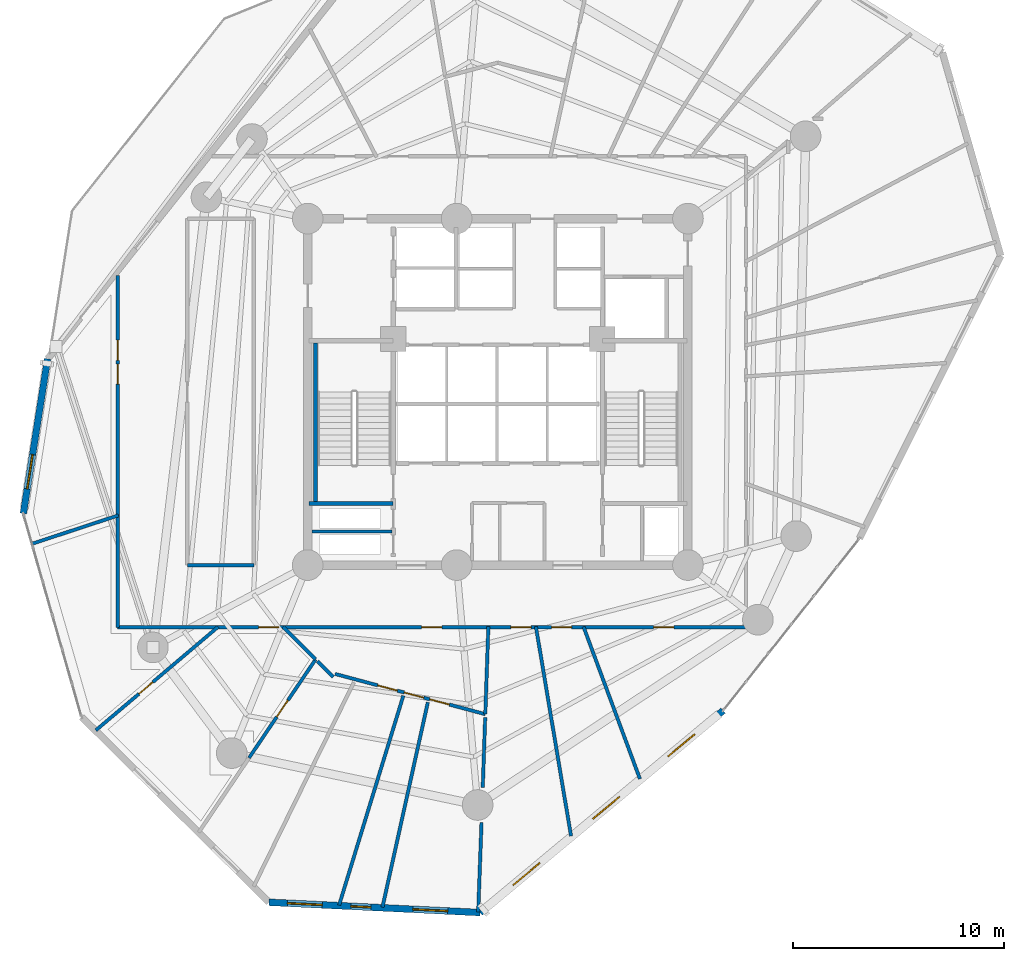
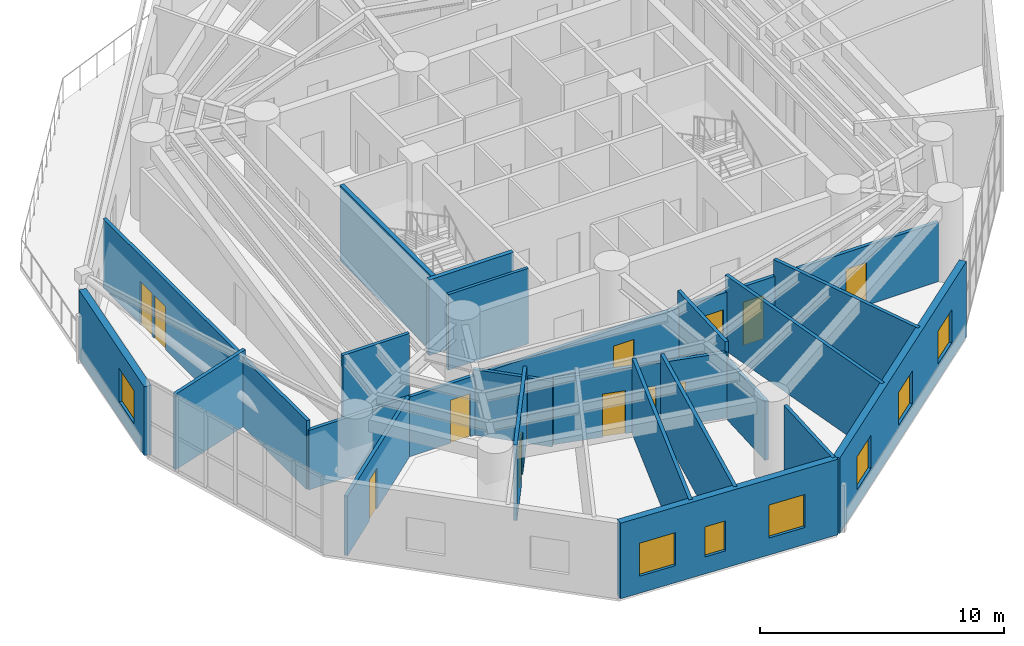
# One storey, part 7 of 14: 22 walls, 12 doors, 7 windows, 19 openings.
"""IFC4 building model written with IfcOpenShell, lengths in metres."""

from ifc_helpers import new_model, si_unit, direction, frame, frame_2d, origin, origin_with_axes, place, context, subcontext, project, spatial, rectangle, extrude, source, transform, mapped, material, layer, layer_set, type_object, element, fill, save


model = new_model("IFC4")

# Units and contexts
model_context = context("Model", 3, precision=1e-05, world=origin(), true_north=direction((0.0, 1.0)))
body_context = subcontext(model_context, "Body", "Model", "MODEL_VIEW")
ifc_project = project(units=[si_unit("LENGTHUNIT", "METRE"), si_unit("AREAUNIT", "SQUARE_METRE"), si_unit("VOLUMEUNIT", "CUBIC_METRE"), si_unit("PLANEANGLEUNIT", "RADIAN"), si_unit("MASSUNIT", "GRAM", prefix="KILO")], contexts=[model_context])

# Site, building, storey
site_placement = place(None, origin())
site = spatial("IfcSite", under=ifc_project, at=site_placement, CompositionType="ELEMENT")
building_placement = place(site_placement, origin())
building = spatial("IfcBuilding", under=site, at=building_placement, Name="Karkom Vertical University and Central Library", CompositionType="ELEMENT")
storey_placement = place(building_placement, frame((0.0, 0.0, 92.199951171875)))
storey = spatial("IfcBuildingStorey", under=building, at=storey_placement, Name="L24", CompositionType="ELEMENT", Elevation=92.199951171875)

# Wall, opening, window
ifc_material_1 = material(Name="Brick-faced precast concrete C45/55", Category="masonry")
ifc_layer_1 = layer(ifc_material_1, 0.320068359375)
ifc_layer_set_1 = layer_set([ifc_layer_1], Name="Brick-faced precast concrete C45/55")
wall_type_1 = type_object("IfcWallType", Name="ENV-WL-BRK-320", PredefinedType="SOLIDWALL", material=ifc_layer_set_1)
wall_1_placement = place(storey_placement, frame((7.186279296875, 28.06298828125, 0.0), z_axis=(0.0, 0.0, 1.0), x_axis=(-0.154769806467, -0.987950558989, 0.0)))
wall_1 = element("IfcWall", 1, at=wall_1_placement, inside=storey, type_object=wall_type_1, Name="Level 24 Brick-Faced Precast Facade Wall 01", PredefinedType="SOLIDWALL", context=body_context, shape_type="SweptSolid", body=[
    extrude(rectangle(XDim=7.410888671875, YDim=0.320068359375, at=frame_2d((3.70556640625, 0.0))), origin(), (0.0, 0.0, 1.0), 3.445068359375),
])
opening_1_placement = place(wall_1_placement, frame((4.583984375, 0.0, 0.85009765625)))
opening_1 = element("IfcOpeningElement", 2, at=opening_1_placement, cuts=wall_1, Name="Opening WN-06", PredefinedType="OPENING", context=body_context, shape_type="SweptSolid", body=[
    extrude(rectangle(XDim=1.64990234375, YDim=1.64990234375, at=frame_2d((0.824951171875, 0.824951171875))), frame((0.0, 0.169921875, 0.0), z_axis=(0.0, -1.0, 0.0), x_axis=(1.0, 0.0, 0.0)), (0.0, 0.0, 1.0), 0.340087890625),
])
ifc_material_2 = material(Name="Aluminium thermal-break frame with solar-control IGU", Category="aluminium")
window_type_1 = type_object("IfcWindowType", Name="ENV-WIN-WN-06", PartitioningType="SINGLE_PANEL", PredefinedType="WINDOW", material=ifc_material_2)
shared_shape_1 = source(origin_with_axes(), body_context, "Body", "SweptSolid", [
    extrude(rectangle(XDim=1.64990234375, YDim=1.64990234375, at=frame_2d((0.824951171875, 0.824951171875))), frame((0.0, 0.030029296875, 0.0), z_axis=(0.0, -1.0, 0.0), x_axis=(1.0, 0.0, 0.0)), (0.0, 0.0, 1.0), 0.06005859375),
])
window_1_placement = place(opening_1_placement, origin())
window_1 = element("IfcWindow", 3, at=window_1_placement, inside=storey, type_object=window_type_1, Name="Level 24 Punched Window 1.1", OverallHeight=1.64990234375, OverallWidth=1.64990234375, PartitioningType="SINGLE_PANEL", PredefinedType="WINDOW", context=body_context, shape_type="MappedRepresentation", body=[
    mapped(shared_shape_1, transform((0.0, 0.0, 0.0), scale=1.0)),
])
fill(opening_1, window_1)

# Wall, openings, windows
wall_2_placement = place(storey_placement, frame((17.670654296875, 2.33642578125, 0.0), z_axis=(0.0, 0.0, 1.0), x_axis=(0.998817213459, -0.048622773441, 0.0)))
wall_2 = element("IfcWall", 4, at=wall_2_placement, inside=storey, type_object=wall_type_1, Name="Level 24 Brick-Faced Precast Facade Wall 04", PredefinedType="SOLIDWALL", context=body_context, shape_type="SweptSolid", body=[
    extrude(rectangle(XDim=10.001953125, YDim=0.320068359375, at=frame_2d((5.0009765625, 0.0))), origin(), (0.0, 0.0, 1.0), 3.775146484375),
])
opening_2_placement = place(wall_2_placement, frame((0.868408203125, 0.0, 0.85009765625)))
opening_2 = element("IfcOpeningElement", 5, at=opening_2_placement, cuts=wall_2, Name="Opening WN-06", PredefinedType="OPENING", context=body_context, shape_type="SweptSolid", body=[
    extrude(rectangle(XDim=1.64990234375, YDim=1.64990234375, at=frame_2d((0.824951171875, 0.824951171875))), frame((0.0, 0.169921875, 0.0), z_axis=(0.0, -1.0, 0.0), x_axis=(1.0, 0.0, 0.0)), (0.0, 0.0, 1.0), 0.340087890625),
])
opening_3_placement = place(wall_2_placement, frame((3.87841796875, 0.0, 0.85009765625)))
opening_3 = element("IfcOpeningElement", 6, at=opening_3_placement, cuts=wall_2, Name="Opening WN-12", PredefinedType="OPENING", context=body_context, shape_type="SweptSolid", body=[
    extrude(rectangle(XDim=0.949951171875, YDim=1.5, at=frame_2d((0.47509765625, 0.75))), frame((0.0, 0.169921875, 0.0), z_axis=(0.0, -1.0, 0.0), x_axis=(1.0, 0.0, 0.0)), (0.0, 0.0, 1.0), 0.340087890625),
])
opening_4_placement = place(wall_2_placement, frame((6.8203125, 0.0, 0.85009765625)))
opening_4 = element("IfcOpeningElement", 7, at=opening_4_placement, cuts=wall_2, Name="Opening WN-06", PredefinedType="OPENING", context=body_context, shape_type="SweptSolid", body=[
    extrude(rectangle(XDim=1.64990234375, YDim=1.64990234375, at=frame_2d((0.824951171875, 0.824951171875))), frame((0.0, 0.169921875, 0.0), z_axis=(0.0, -1.0, 0.0), x_axis=(1.0, 0.0, 0.0)), (0.0, 0.0, 1.0), 0.340087890625),
])
window_2_placement = place(opening_2_placement, origin())
window_2 = element("IfcWindow", 8, at=window_2_placement, inside=storey, type_object=window_type_1, Name="Level 24 Punched Window 4.1", OverallHeight=1.64990234375, OverallWidth=1.64990234375, PartitioningType="SINGLE_PANEL", PredefinedType="WINDOW", context=body_context, shape_type="MappedRepresentation", body=[
    mapped(shared_shape_1, transform((0.0, 0.0, 0.0), scale=1.0)),
])
fill(opening_2, window_2)
window_3_placement = place(opening_4_placement, origin())
window_3 = element("IfcWindow", 9, at=window_3_placement, inside=storey, type_object=window_type_1, Name="Level 24 Punched Window 4.3", OverallHeight=1.64990234375, OverallWidth=1.64990234375, PartitioningType="SINGLE_PANEL", PredefinedType="WINDOW", context=body_context, shape_type="MappedRepresentation", body=[
    mapped(shared_shape_1, transform((0.0, 0.0, 0.0), scale=1.0)),
])
fill(opening_4, window_3)
window_type_2 = type_object("IfcWindowType", Name="ENV-WIN-WN-12", PartitioningType="SINGLE_PANEL", PredefinedType="WINDOW", material=ifc_material_2)
shared_shape_2 = source(origin_with_axes(), body_context, "Body", "SweptSolid", [
    extrude(rectangle(XDim=0.949951171875, YDim=1.5, at=frame_2d((0.47509765625, 0.75))), frame((0.0, 0.030029296875, 0.0), z_axis=(0.0, -1.0, 0.0), x_axis=(1.0, 0.0, 0.0)), (0.0, 0.0, 1.0), 0.06005859375),
])
window_4_placement = place(opening_3_placement, origin())
window_4 = element("IfcWindow", 10, at=window_4_placement, inside=storey, type_object=window_type_2, Name="Level 24 Punched Window 4.2", OverallHeight=1.5, OverallWidth=0.949951171875, PartitioningType="SINGLE_PANEL", PredefinedType="WINDOW", context=body_context, shape_type="MappedRepresentation", body=[
    mapped(shared_shape_2, transform((0.0, 0.0, 0.0), scale=1.0)),
])
fill(opening_3, window_4)

wall_3_placement = place(storey_placement, frame((27.660888671875, 1.85009765625, 0.0), z_axis=(0.0, 0.0, 1.0), x_axis=(0.769079412442, 0.639153234646, 0.0)))
wall_3 = element("IfcWall", 11, at=wall_3_placement, inside=storey, type_object=wall_type_1, Name="Level 24 Brick-Faced Precast Facade Wall 05", PredefinedType="SOLIDWALL", context=body_context, shape_type="SweptSolid", body=[
    extrude(rectangle(XDim=14.959228515625, YDim=0.320068359375, at=frame_2d((7.4794921875, 0.0))), origin(), (0.0, 0.0, 1.0), 3.775146484375),
])
opening_5_placement = place(wall_3_placement, frame((2.02685546875, 0.0, 0.85009765625)))
opening_5 = element("IfcOpeningElement", 12, at=opening_5_placement, cuts=wall_3, Name="Opening WN-06", PredefinedType="OPENING", context=body_context, shape_type="SweptSolid", body=[
    extrude(rectangle(XDim=1.64990234375, YDim=1.64990234375, at=frame_2d((0.824951171875, 0.824951171875))), frame((0.0, 0.169921875, 0.0), z_axis=(0.0, -1.0, 0.0), x_axis=(1.0, 0.0, 0.0)), (0.0, 0.0, 1.0), 0.340087890625),
])
opening_6_placement = place(wall_3_placement, frame((6.933837890625, 0.0, 0.85009765625)))
opening_6 = element("IfcOpeningElement", 13, at=opening_6_placement, cuts=wall_3, Name="Opening WN-06", PredefinedType="OPENING", context=body_context, shape_type="SweptSolid", body=[
    extrude(rectangle(XDim=1.64990234375, YDim=1.64990234375, at=frame_2d((0.824951171875, 0.824951171875))), frame((0.0, 0.169921875, 0.0), z_axis=(0.0, -1.0, 0.0), x_axis=(1.0, 0.0, 0.0)), (0.0, 0.0, 1.0), 0.340087890625),
])
opening_7_placement = place(wall_3_placement, frame((11.561767578125, 0.0, 0.85009765625)))
opening_7 = element("IfcOpeningElement", 14, at=opening_7_placement, cuts=wall_3, Name="Opening WN-06", PredefinedType="OPENING", context=body_context, shape_type="SweptSolid", body=[
    extrude(rectangle(XDim=1.64990234375, YDim=1.64990234375, at=frame_2d((0.824951171875, 0.824951171875))), frame((0.0, 0.169921875, 0.0), z_axis=(0.0, -1.0, 0.0), x_axis=(1.0, 0.0, 0.0)), (0.0, 0.0, 1.0), 0.340087890625),
])
window_5_placement = place(opening_5_placement, origin())
window_5 = element("IfcWindow", 15, at=window_5_placement, inside=storey, type_object=window_type_1, Name="Level 24 Punched Window 5.1", OverallHeight=1.64990234375, OverallWidth=1.64990234375, PartitioningType="SINGLE_PANEL", PredefinedType="WINDOW", context=body_context, shape_type="MappedRepresentation", body=[
    mapped(shared_shape_1, transform((0.0, 0.0, 0.0), scale=1.0)),
])
fill(opening_5, window_5)
window_6_placement = place(opening_6_placement, origin())
window_6 = element("IfcWindow", 16, at=window_6_placement, inside=storey, type_object=window_type_1, Name="Level 24 Punched Window 5.2", OverallHeight=1.64990234375, OverallWidth=1.64990234375, PartitioningType="SINGLE_PANEL", PredefinedType="WINDOW", context=body_context, shape_type="MappedRepresentation", body=[
    mapped(shared_shape_1, transform((0.0, 0.0, 0.0), scale=1.0)),
])
fill(opening_6, window_6)
window_7_placement = place(opening_7_placement, origin())
window_7 = element("IfcWindow", 17, at=window_7_placement, inside=storey, type_object=window_type_1, Name="Level 24 Punched Window 5.3", OverallHeight=1.64990234375, OverallWidth=1.64990234375, PartitioningType="SINGLE_PANEL", PredefinedType="WINDOW", context=body_context, shape_type="MappedRepresentation", body=[
    mapped(shared_shape_1, transform((0.0, 0.0, 0.0), scale=1.0)),
])
fill(opening_7, window_7)

# Wall, openings, doors
ifc_material_3 = material(Name="Insulated metal-stud drywall 160mm", Category="gypsum")
ifc_layer_2 = layer(ifc_material_3, 0.159912109375)
ifc_layer_set_2 = layer_set([ifc_layer_2], Name="Insulated metal-stud drywall 160mm")
wall_type_2 = type_object("IfcWallType", Name="INT-WL-COR-160", PredefinedType="PARTITIONING", material=ifc_layer_set_2)
wall_4_placement = place(storey_placement, frame((40.25, 15.35009765625, 0.0), z_axis=(0.0, 0.0, 1.0), x_axis=(-1.0, 0.0, 0.0)))
wall_4 = element("IfcWall", 18, at=wall_4_placement, inside=storey, type_object=wall_type_2, Name="Level 24 Interior Partition Wall L24-CORW-CW-001", PredefinedType="PARTITIONING", context=body_context, shape_type="SweptSolid", body=[
    extrude(rectangle(XDim=29.75, YDim=0.159912109375, at=frame_2d((14.875, 0.0))), origin(), (0.0, 0.0, 1.0), 2.97509765625),
])
opening_8_placement = place(wall_4_placement, frame((22.12744140625, 0.0, 0.0)))
opening_8 = element("IfcOpeningElement", 19, at=opening_8_placement, cuts=wall_4, Name="Opening D-RM1", PredefinedType="OPENING", context=body_context, shape_type="SweptSolid", body=[
    extrude(rectangle(XDim=0.949951171875, YDim=2.14990234375, at=frame_2d((0.47509765625, 1.074951171875))), frame((0.0, 0.08984375, 0.0), z_axis=(0.0, -1.0, 0.0), x_axis=(1.0, 0.0, 0.0)), (0.0, 0.0, 1.0), 0.179931640625),
])
opening_9_placement = place(wall_4_placement, frame((14.39990234375, 0.0, 0.0)))
opening_9 = element("IfcOpeningElement", 20, at=opening_9_placement, cuts=wall_4, Name="Opening FD-RM2", PredefinedType="OPENING", context=body_context, shape_type="SweptSolid", body=[
    extrude(rectangle(XDim=0.9599609375, YDim=2.14990234375, at=frame_2d((0.47998046875, 1.074951171875))), frame((0.0, 0.08984375, 0.0), z_axis=(0.0, -1.0, 0.0), x_axis=(1.0, 0.0, 0.0)), (0.0, 0.0, 1.0), 0.179931640625),
])
opening_10_placement = place(wall_4_placement, frame((10.177490234375, 0.0, 0.0)))
opening_10 = element("IfcOpeningElement", 21, at=opening_10_placement, cuts=wall_4, Name="Opening FD-RM2", PredefinedType="OPENING", context=body_context, shape_type="SweptSolid", body=[
    extrude(rectangle(XDim=0.9599609375, YDim=2.14990234375, at=frame_2d((0.47998046875, 1.074951171875))), frame((0.0, 0.08984375, 0.0), z_axis=(0.0, -1.0, 0.0), x_axis=(1.0, 0.0, 0.0)), (0.0, 0.0, 1.0), 0.179931640625),
])
opening_11_placement = place(wall_4_placement, frame((8.25390625, 0.0, 0.0)))
opening_11 = element("IfcOpeningElement", 22, at=opening_11_placement, cuts=wall_4, Name="Opening D-RM1", PredefinedType="OPENING", context=body_context, shape_type="SweptSolid", body=[
    extrude(rectangle(XDim=0.949951171875, YDim=2.14990234375, at=frame_2d((0.47509765625, 1.074951171875))), frame((0.0, 0.08984375, 0.0), z_axis=(0.0, -1.0, 0.0), x_axis=(1.0, 0.0, 0.0)), (0.0, 0.0, 1.0), 0.179931640625),
])
opening_12_placement = place(wall_4_placement, frame((3.4169921875, 0.0, 0.0)))
opening_12 = element("IfcOpeningElement", 23, at=opening_12_placement, cuts=wall_4, Name="Opening FD-RM2", PredefinedType="OPENING", context=body_context, shape_type="SweptSolid", body=[
    extrude(rectangle(XDim=0.9599609375, YDim=2.14990234375, at=frame_2d((0.47998046875, 1.074951171875))), frame((0.0, 0.08984375, 0.0), z_axis=(0.0, -1.0, 0.0), x_axis=(1.0, 0.0, 0.0)), (0.0, 0.0, 1.0), 0.179931640625),
])
ifc_material_4 = material(Name="Fire-rated oak veneer door", Category="wood")
door_type_1 = type_object("IfcDoorType", Name="INT-DR-FRM2", OperationType="NOTDEFINED", PredefinedType="DOOR", material=ifc_material_4)
shared_shape_3 = source(origin_with_axes(), body_context, "Body", "SweptSolid", [
    extrude(rectangle(XDim=0.9599609375, YDim=2.14990234375, at=frame_2d((0.47998046875, 1.074951171875))), frame((0.0, 0.02490234375, 0.0), z_axis=(0.0, -1.0, 0.0), x_axis=(1.0, 0.0, 0.0)), (0.0, 0.0, 1.0), 0.050048828125),
])
door_1_placement = place(opening_9_placement, origin())
door_1 = element("IfcDoor", 24, at=door_1_placement, inside=storey, type_object=door_type_1, Name="Level 24 Room Entry Door 050", OperationType="SINGLE_SWING_RIGHT", OverallHeight=2.14990234375, OverallWidth=0.9599609375, PredefinedType="DOOR", context=body_context, shape_type="MappedRepresentation", body=[
    mapped(shared_shape_3, transform((0.0, 0.0, 0.0), scale=1.0)),
])
fill(opening_9, door_1)
door_2_placement = place(opening_10_placement, origin())
door_2 = element("IfcDoor", 25, at=door_2_placement, inside=storey, type_object=door_type_1, Name="Level 24 Room Entry Door 080", OperationType="SINGLE_SWING_LEFT", OverallHeight=2.14990234375, OverallWidth=0.9599609375, PredefinedType="DOOR", context=body_context, shape_type="MappedRepresentation", body=[
    mapped(shared_shape_3, transform((0.0, 0.0, 0.0), scale=1.0)),
])
fill(opening_10, door_2)
door_3_placement = place(opening_12_placement, origin())
door_3 = element("IfcDoor", 26, at=door_3_placement, inside=storey, type_object=door_type_1, Name="Level 24 Room Entry Door 100", OperationType="SINGLE_SWING_LEFT", OverallHeight=2.14990234375, OverallWidth=0.9599609375, PredefinedType="DOOR", context=body_context, shape_type="MappedRepresentation", body=[
    mapped(shared_shape_3, transform((0.0, 0.0, 0.0), scale=1.0)),
])
fill(opening_12, door_3)
ifc_material_5 = material(Name="Solid-core oak veneer door", Category="wood")
door_type_2 = type_object("IfcDoorType", Name="INT-DR-RM1", OperationType="NOTDEFINED", PredefinedType="DOOR", material=ifc_material_5)
shared_shape_4 = source(origin_with_axes(), body_context, "Body", "SweptSolid", [
    extrude(rectangle(XDim=0.949951171875, YDim=2.14990234375, at=frame_2d((0.47509765625, 1.074951171875))), frame((0.0, 0.02490234375, 0.0), z_axis=(0.0, -1.0, 0.0), x_axis=(1.0, 0.0, 0.0)), (0.0, 0.0, 1.0), 0.050048828125),
])
door_4_placement = place(opening_8_placement, origin())
door_4 = element("IfcDoor", 27, at=door_4_placement, inside=storey, type_object=door_type_2, Name="Level 24 Room Entry Door 020", OperationType="SINGLE_SWING_LEFT", OverallHeight=2.14990234375, OverallWidth=0.949951171875, PredefinedType="DOOR", context=body_context, shape_type="MappedRepresentation", body=[
    mapped(shared_shape_4, transform((0.0, 0.0, 0.0), scale=1.0)),
])
fill(opening_8, door_4)
door_5_placement = place(opening_11_placement, origin())
door_5 = element("IfcDoor", 28, at=door_5_placement, inside=storey, type_object=door_type_2, Name="Level 24 Room Entry Door 090", OperationType="SINGLE_SWING_RIGHT", OverallHeight=2.14990234375, OverallWidth=0.949951171875, PredefinedType="DOOR", context=body_context, shape_type="MappedRepresentation", body=[
    mapped(shared_shape_4, transform((0.0, 0.0, 0.0), scale=1.0)),
])
fill(opening_11, door_5)

wall_5_placement = place(storey_placement, frame((10.5, 15.35009765625, 0.0), z_axis=(0.0, 0.0, 1.0), x_axis=(0.0, 1.0, 0.0)))
wall_5 = element("IfcWall", 29, at=wall_5_placement, inside=storey, type_object=wall_type_2, Name="Level 24 Interior Partition Wall L24-CORW-CW-002", PredefinedType="PARTITIONING", context=body_context, shape_type="SweptSolid", body=[
    extrude(rectangle(XDim=16.6513671875, YDim=0.159912109375, at=frame_2d((8.32568359375, 0.0))), origin(), (0.0, 0.0, 1.0), 3.445068359375),
])
opening_13_placement = place(wall_5_placement, frame((11.518798828125, 0.0, 0.0)))
opening_13 = element("IfcOpeningElement", 30, at=opening_13_placement, cuts=wall_5, Name="Opening D-RM1", PredefinedType="OPENING", context=body_context, shape_type="SweptSolid", body=[
    extrude(rectangle(XDim=0.949951171875, YDim=2.14990234375, at=frame_2d((0.47509765625, 1.074951171875))), frame((0.0, 0.08984375, 0.0), z_axis=(0.0, -1.0, 0.0), x_axis=(1.0, 0.0, 0.0)), (0.0, 0.0, 1.0), 0.179931640625),
])
opening_14_placement = place(wall_5_placement, frame((12.641845703125, 0.0, 0.0)))
opening_14 = element("IfcOpeningElement", 31, at=opening_14_placement, cuts=wall_5, Name="Opening FD-RM2", PredefinedType="OPENING", context=body_context, shape_type="SweptSolid", body=[
    extrude(rectangle(XDim=0.9599609375, YDim=2.14990234375, at=frame_2d((0.47998046875, 1.074951171875))), frame((0.0, 0.08984375, 0.0), z_axis=(0.0, -1.0, 0.0), x_axis=(1.0, 0.0, 0.0)), (0.0, 0.0, 1.0), 0.179931640625),
])
door_6_placement = place(opening_14_placement, origin())
door_6 = element("IfcDoor", 32, at=door_6_placement, inside=storey, type_object=door_type_1, Name="Level 24 Room Entry Door 010", OperationType="SINGLE_SWING_RIGHT", OverallHeight=2.14990234375, OverallWidth=0.9599609375, PredefinedType="DOOR", context=body_context, shape_type="MappedRepresentation", body=[
    mapped(shared_shape_3, transform((0.0, 0.0, 0.0), scale=1.0)),
])
fill(opening_14, door_6)
door_7_placement = place(opening_13_placement, origin())
door_7 = element("IfcDoor", 33, at=door_7_placement, inside=storey, type_object=door_type_2, Name="Level 24 Room Entry Door 000", OperationType="SINGLE_SWING_LEFT", OverallHeight=2.14990234375, OverallWidth=0.949951171875, PredefinedType="DOOR", context=body_context, shape_type="MappedRepresentation", body=[
    mapped(shared_shape_4, transform((0.0, 0.0, 0.0), scale=1.0)),
])
fill(opening_13, door_7)

# Walls
wall_6_placement = place(storey_placement, frame((24.0263671875, 12.115966796875, 0.0), z_axis=(0.0, 0.0, 1.0), x_axis=(-0.293187374814, -0.956055000117, 0.0)))
element("IfcWall", 34, at=wall_6_placement, inside=storey, type_object=wall_type_2, Name="Level 24 Interior Partition Wall L24-PW-010", PredefinedType="PARTITIONING", context=body_context, shape_type="SweptSolid", body=[
    extrude(rectangle(XDim=10.369873046875, YDim=0.159912109375, at=frame_2d((5.18505859375, 0.0))), origin(), (0.0, 0.0, 1.0), 3.775146484375),
])
wall_7_placement = place(storey_placement, frame((30.3017578125, 15.394287109375, 0.0), z_axis=(0.0, 0.0, 1.0), x_axis=(0.165418051405, -0.986223538692, 0.0)))
element("IfcWall", 35, at=wall_7_placement, inside=storey, type_object=wall_type_2, Name="Level 24 Interior Partition Wall L24-PW-016", PredefinedType="PARTITIONING", context=body_context, shape_type="SweptSolid", body=[
    extrude(rectangle(XDim=10.061279296875, YDim=0.159912109375, at=frame_2d((5.03076171875, 0.0))), origin(), (0.0, 0.0, 1.0), 3.775146484375),
])
wall_8_placement = place(storey_placement, frame((25.186767578125, 11.804931640625, 0.0), z_axis=(0.0, 0.0, 1.0), x_axis=(-0.216066868411, -0.976378568167, 0.0)))
element("IfcWall", 36, at=wall_8_placement, inside=storey, type_object=wall_type_2, Name="Level 24 Interior Partition Wall L24-PW-013", PredefinedType="PARTITIONING", context=body_context, shape_type="SweptSolid", body=[
    extrude(rectangle(XDim=9.93896484375, YDim=0.159912109375, at=frame_2d((4.969482421875, 0.0))), origin(), (0.0, 0.0, 1.0), 3.775146484375),
])
wall_9_placement = place(storey_placement, frame((32.55810546875, 15.378173828125, 0.0), z_axis=(0.0, 0.0, 1.0), x_axis=(0.34752966717, -0.937668987669, 0.0)))
element("IfcWall", 37, at=wall_9_placement, inside=storey, type_object=wall_type_2, Name="Level 24 Interior Partition Wall L24-PW-017", PredefinedType="PARTITIONING", context=body_context, shape_type="SweptSolid", body=[
    extrude(rectangle(XDim=7.68115234375, YDim=0.159912109375, at=frame_2d((3.840576171875, 0.0))), origin(), (0.0, 0.0, 1.0), 3.775146484375),
])

# Wall, opening, door
wall_10_placement = place(storey_placement, frame((15.262451171875, 15.379150390625, 0.0), z_axis=(0.0, 0.0, 1.0), x_axis=(-0.763431442255, -0.645888870454, 0.0)))
wall_10 = element("IfcWall", 38, at=wall_10_placement, inside=storey, type_object=wall_type_2, Name="Level 24 Interior Partition Wall L24-PW-002", PredefinedType="PARTITIONING", context=body_context, shape_type="SweptSolid", body=[
    extrude(rectangle(XDim=7.58740234375, YDim=0.159912109375, at=frame_2d((3.793701171875, 0.0))), origin(), (0.0, 0.0, 1.0), 2.97509765625),
])
opening_15_placement = place(wall_10_placement, frame((4.0537109375, 0.0, 0.0)))
opening_15 = element("IfcOpeningElement", 39, at=opening_15_placement, cuts=wall_10, Name="Opening FD-BTH2", PredefinedType="OPENING", context=body_context, shape_type="SweptSolid", body=[
    extrude(rectangle(XDim=0.860107421875, YDim=2.0400390625, at=frame_2d((0.43017578125, 1.02001953125))), frame((0.0, 0.08984375, 0.0), z_axis=(0.0, -1.0, 0.0), x_axis=(1.0, 0.0, 0.0)), (0.0, 0.0, 1.0), 0.179931640625),
])
ifc_material_6 = material(Name="Fire-rated moisture-resistant oak door", Category="wood")
door_type_3 = type_object("IfcDoorType", Name="INT-DR-FBTH2", OperationType="NOTDEFINED", PredefinedType="DOOR", material=ifc_material_6)
shared_shape_5 = source(origin_with_axes(), body_context, "Body", "SweptSolid", [
    extrude(rectangle(XDim=0.860107421875, YDim=2.0400390625, at=frame_2d((0.43017578125, 1.02001953125))), frame((0.0, 0.02490234375, 0.0), z_axis=(0.0, -1.0, 0.0), x_axis=(1.0, 0.0, 0.0)), (0.0, 0.0, 1.0), 0.050048828125),
])
door_8_placement = place(opening_15_placement, origin())
door_8 = element("IfcDoor", 40, at=door_8_placement, inside=storey, type_object=door_type_3, Name="Level 24 University Seminar Classroom Entry Door", OperationType="SINGLE_SWING_LEFT", OverallHeight=2.0400390625, OverallWidth=0.860107421875, PredefinedType="DOOR", context=body_context, shape_type="MappedRepresentation", body=[
    mapped(shared_shape_5, transform((0.0, 0.0, 0.0), scale=1.0)),
])
fill(opening_15, door_8)

# Wall, openings, doors
wall_11_placement = place(storey_placement, frame((27.906982421875, 11.24169921875, 0.0), z_axis=(0.0, 0.0, 1.0), x_axis=(-0.965920682586, 0.258838240899, 0.0)))
wall_11 = element("IfcWall", 41, at=wall_11_placement, inside=storey, type_object=wall_type_2, Name="Level 24 Interior Partition Wall L24-PW-011", PredefinedType="PARTITIONING", context=body_context, shape_type="SweptSolid", body=[
    extrude(rectangle(XDim=7.366455078125, YDim=0.159912109375, at=frame_2d((3.68310546875, 0.0))), origin(), (0.0, 0.0, 1.0), 3.275146484375),
])
opening_16_placement = place(wall_11_placement, frame((4.313232421875, 0.0, 0.0)))
opening_16 = element("IfcOpeningElement", 42, at=opening_16_placement, cuts=wall_11, Name="Opening FD-RM2", PredefinedType="OPENING", context=body_context, shape_type="SweptSolid", body=[
    extrude(rectangle(XDim=0.9599609375, YDim=2.14990234375, at=frame_2d((0.47998046875, 1.074951171875))), frame((0.0, 0.08984375, 0.0), z_axis=(0.0, -1.0, 0.0), x_axis=(1.0, 0.0, 0.0)), (0.0, 0.0, 1.0), 0.179931640625),
])
opening_17_placement = place(wall_11_placement, frame((3.018310546875, 0.0, 0.0)))
opening_17 = element("IfcOpeningElement", 43, at=opening_17_placement, cuts=wall_11, Name="Opening D-RM1", PredefinedType="OPENING", context=body_context, shape_type="SweptSolid", body=[
    extrude(rectangle(XDim=0.949951171875, YDim=2.14990234375, at=frame_2d((0.47509765625, 1.074951171875))), frame((0.0, 0.08984375, 0.0), z_axis=(0.0, -1.0, 0.0), x_axis=(1.0, 0.0, 0.0)), (0.0, 0.0, 1.0), 0.179931640625),
])
opening_18_placement = place(wall_11_placement, frame((1.76318359375, 0.0, 0.0)))
opening_18 = element("IfcOpeningElement", 44, at=opening_18_placement, cuts=wall_11, Name="Opening FD-RM2", PredefinedType="OPENING", context=body_context, shape_type="SweptSolid", body=[
    extrude(rectangle(XDim=0.9599609375, YDim=2.14990234375, at=frame_2d((0.47998046875, 1.074951171875))), frame((0.0, 0.08984375, 0.0), z_axis=(0.0, -1.0, 0.0), x_axis=(1.0, 0.0, 0.0)), (0.0, 0.0, 1.0), 0.179931640625),
])
door_9_placement = place(opening_16_placement, origin())
door_9 = element("IfcDoor", 45, at=door_9_placement, inside=storey, type_object=door_type_1, Name="Level 24 Room Entry Door 040", OperationType="SINGLE_SWING_LEFT", OverallHeight=2.14990234375, OverallWidth=0.9599609375, PredefinedType="DOOR", context=body_context, shape_type="MappedRepresentation", body=[
    mapped(shared_shape_3, transform((0.0, 0.0, 0.0), scale=1.0)),
])
fill(opening_16, door_9)
door_10_placement = place(opening_18_placement, origin())
door_10 = element("IfcDoor", 46, at=door_10_placement, inside=storey, type_object=door_type_1, Name="Level 24 Room Entry Door 070", OperationType="SINGLE_SWING_LEFT", OverallHeight=2.14990234375, OverallWidth=0.9599609375, PredefinedType="DOOR", context=body_context, shape_type="MappedRepresentation", body=[
    mapped(shared_shape_3, transform((0.0, 0.0, 0.0), scale=1.0)),
])
fill(opening_18, door_10)
door_11_placement = place(opening_17_placement, origin())
door_11 = element("IfcDoor", 47, at=door_11_placement, inside=storey, type_object=door_type_2, Name="Level 24 Room Entry Door 060", OperationType="SINGLE_SWING_RIGHT", OverallHeight=2.14990234375, OverallWidth=0.949951171875, PredefinedType="DOOR", context=body_context, shape_type="MappedRepresentation", body=[
    mapped(shared_shape_4, transform((0.0, 0.0, 0.0), scale=1.0)),
])
fill(opening_17, door_11)

# Wall, opening, door
wall_12_placement = place(storey_placement, frame((19.87451171875, 13.8388671875, 0.0), z_axis=(0.0, 0.0, 1.0), x_axis=(-0.559775304188, -0.82864444053, 0.0)))
wall_12 = element("IfcWall", 48, at=wall_12_placement, inside=storey, type_object=wall_type_2, Name="Level 24 Interior Partition Wall L24-PW-003", PredefinedType="PARTITIONING", context=body_context, shape_type="SweptSolid", body=[
    extrude(rectangle(XDim=5.6279296875, YDim=0.159912109375, at=frame_2d((2.81396484375, 0.0))), origin(), (0.0, 0.0, 1.0), 3.775146484375),
])
opening_19_placement = place(wall_12_placement, frame((2.339111328125, 0.0, 0.0)))
opening_19 = element("IfcOpeningElement", 49, at=opening_19_placement, cuts=wall_12, Name="Opening D-RM1", PredefinedType="OPENING", context=body_context, shape_type="SweptSolid", body=[
    extrude(rectangle(XDim=0.949951171875, YDim=2.14990234375, at=frame_2d((0.47509765625, 1.074951171875))), frame((0.0, 0.08984375, 0.0), z_axis=(0.0, -1.0, 0.0), x_axis=(1.0, 0.0, 0.0)), (0.0, 0.0, 1.0), 0.179931640625),
])
door_12_placement = place(opening_19_placement, origin())
door_12 = element("IfcDoor", 50, at=door_12_placement, inside=storey, type_object=door_type_2, Name="Level 24 Room Entry Door 030", OperationType="SINGLE_SWING_RIGHT", OverallHeight=2.14990234375, OverallWidth=0.949951171875, PredefinedType="DOOR", context=body_context, shape_type="MappedRepresentation", body=[
    mapped(shared_shape_4, transform((0.0, 0.0, 0.0), scale=1.0)),
])
fill(opening_19, door_12)

# Walls
wall_13_placement = place(storey_placement, frame((10.542724609375, 20.656005859375, 0.0), z_axis=(0.0, 0.0, 1.0), x_axis=(-0.949929573631, -0.312464086161, 0.0)))
element("IfcWall", 51, at=wall_13_placement, inside=storey, type_object=wall_type_2, Name="Level 24 Interior Partition Wall L24-PW-001", PredefinedType="PARTITIONING", context=body_context, shape_type="SweptSolid", body=[
    extrude(rectangle(XDim=4.2841796875, YDim=0.159912109375, at=frame_2d((2.14208984375, 0.0))), origin(), (0.0, 0.0, 1.0), 3.775146484375),
])
wall_14_placement = place(storey_placement, frame((27.728271484375, 6.123046875, 0.0), z_axis=(0.0, 0.0, 1.0), x_axis=(-0.03696700615, -0.999316486633, 0.0)))
element("IfcWall", 52, at=wall_14_placement, inside=storey, type_object=wall_type_2, Name="Level 24 Interior Partition Wall L24-PW-014", PredefinedType="PARTITIONING", context=body_context, shape_type="SweptSolid", body=[
    extrude(rectangle(XDim=4.24658203125, YDim=0.159912109375, at=frame_2d((2.123291015625, 0.0))), origin(), (0.0, 0.0, 1.0), 3.775146484375),
])
wall_15_placement = place(storey_placement, frame((28.052001953125, 15.39501953125, 0.0), z_axis=(0.0, 0.0, 1.0), x_axis=(-0.034895264462, -0.999390974803, 0.0)))
element("IfcWall", 53, at=wall_15_placement, inside=storey, type_object=wall_type_2, Name="Level 24 Interior Partition Wall L24-PW-012", PredefinedType="PARTITIONING", context=body_context, shape_type="SweptSolid", body=[
    extrude(rectangle(XDim=4.15576171875, YDim=0.159912109375, at=frame_2d((2.077880859375, 0.0))), origin(), (0.0, 0.0, 1.0), 3.775146484375),
])
wall_16_placement = place(storey_placement, frame((27.9013671875, 11.07763671875, 0.0), z_axis=(0.0, 0.0, 1.0), x_axis=(-0.034890726755, -0.999391133234, 0.0)))
element("IfcWall", 54, at=wall_16_placement, inside=storey, type_object=wall_type_2, Name="Level 24 Interior Partition Wall L24-PW-015", PredefinedType="PARTITIONING", context=body_context, shape_type="SweptSolid", body=[
    extrude(rectangle(XDim=3.316650390625, YDim=0.159912109375, at=frame_2d((1.658203125, 0.0))), origin(), (0.0, 0.0, 1.0), 2.97509765625),
])
wall_17_placement = place(storey_placement, frame((13.800048828125, 18.300048828125, 0.0), z_axis=(0.0, 0.0, 1.0), x_axis=(1.0, 0.0, 0.0)))
element("IfcWall", 55, at=wall_17_placement, inside=storey, type_object=wall_type_2, Name="Level 24 Interior Partition Wall L24-CORW-CW-007", PredefinedType="PARTITIONING", context=body_context, shape_type="SweptSolid", body=[
    extrude(rectangle(XDim=3.14990234375, YDim=0.159912109375, at=frame_2d((1.574951171875, 0.0))), origin(), (0.0, 0.0, 1.0), 3.775146484375),
])
wall_18_placement = place(storey_placement, frame((18.331787109375, 15.3818359375, 0.0), z_axis=(0.0, 0.0, 1.0), x_axis=(0.707050832555, -0.707162725391, 0.0)))
element("IfcWall", 56, at=wall_18_placement, inside=storey, type_object=wall_type_2, Name="Level 24 Interior Partition Wall L24-PW-005", PredefinedType="PARTITIONING", context=body_context, shape_type="SweptSolid", body=[
    extrude(rectangle(XDim=2.181884765625, YDim=0.159912109375, at=frame_2d((1.0908203125, 0.0))), origin(), (0.0, 0.0, 1.0), 3.275146484375),
])
wall_19_placement = place(storey_placement, frame((19.9609375, 13.75244140625, 0.0), z_axis=(0.0, 0.0, 1.0), x_axis=(0.707106781187, -0.707106781187, 0.0)))
element("IfcWall", 57, at=wall_19_placement, inside=storey, type_object=wall_type_2, Name="Level 24 Interior Partition Wall L24-PW-007", PredefinedType="PARTITIONING", context=body_context, shape_type="SweptSolid", body=[
    extrude(rectangle(XDim=1.05712890625, YDim=0.159912109375, at=frame_2d((0.528564453125, 0.0))), origin(), (0.0, 0.0, 1.0), 3.275146484375),
])
ifc_material_7 = material(Name="Metal-stud gypsum partition 140mm", Category="gypsum")
ifc_layer_3 = layer(ifc_material_7, 0.139892578125)
ifc_layer_set_3 = layer_set([ifc_layer_3], Name="Metal-stud gypsum partition 140mm")
wall_type_3 = type_object("IfcWallType", Name="INT-WL-SUB-140H", PredefinedType="PARTITIONING", material=ifc_layer_set_3)
wall_20_placement = place(storey_placement, frame((19.70703125, 19.889892578125, 0.0), z_axis=(0.0, 0.0, 1.0), x_axis=(1.0, 0.0, 0.0)))
element("IfcWall", 58, at=wall_20_placement, inside=storey, type_object=wall_type_3, Name="Level 24 Interior Partition Wall L24-CW-RIS-W", PredefinedType="PARTITIONING", context=body_context, shape_type="SweptSolid", body=[
    extrude(rectangle(XDim=3.789794921875, YDim=0.139892578125, at=frame_2d((1.89501953125, 0.0))), origin(), (0.0, 0.0, 1.0), 3.775146484375),
])
ifc_material_8 = material(Name="Concrete C45/55", Category="concrete")
ifc_layer_4 = layer(ifc_material_8, 0.199951171875)
ifc_layer_set_4 = layer_set([ifc_layer_4], Name="Concrete C45/55")
wall_type_4 = type_object("IfcWallType", Name="STR-WL-ST-200", PredefinedType="SHEAR", material=ifc_layer_set_4)
wall_21_placement = place(storey_placement, frame((19.875, 21.320068359375, 0.0), z_axis=(0.0, 0.0, 1.0), x_axis=(0.0, 1.0, 0.0)))
element("IfcWall", 59, at=wall_21_placement, inside=storey, type_object=wall_type_4, Name="Level 24 Core Shaft Wall L24-CW-ST1-W", PredefinedType="SHEAR", context=body_context, shape_type="SweptSolid", body=[
    extrude(rectangle(XDim=7.5, YDim=0.199951171875, at=frame_2d((3.75, 0.0))), origin(), (0.0, 0.0, 1.0), 3.775146484375),
])
wall_22_placement = place(storey_placement, frame((19.550048828125, 21.215087890625, 0.0), z_axis=(0.0, 0.0, 1.0), x_axis=(1.0, 0.0, 0.0)))
element("IfcWall", 60, at=wall_22_placement, inside=storey, type_object=wall_type_4, Name="Level 24 Core Shaft Wall L24-CW-ST1-S", PredefinedType="SHEAR", context=body_context, shape_type="SweptSolid", body=[
    extrude(rectangle(XDim=3.994873046875, YDim=0.199951171875, at=frame_2d((1.99755859375, 0.0))), origin(), (0.0, 0.0, 1.0), 3.775146484375),
])

save(model, "model.ifc")
